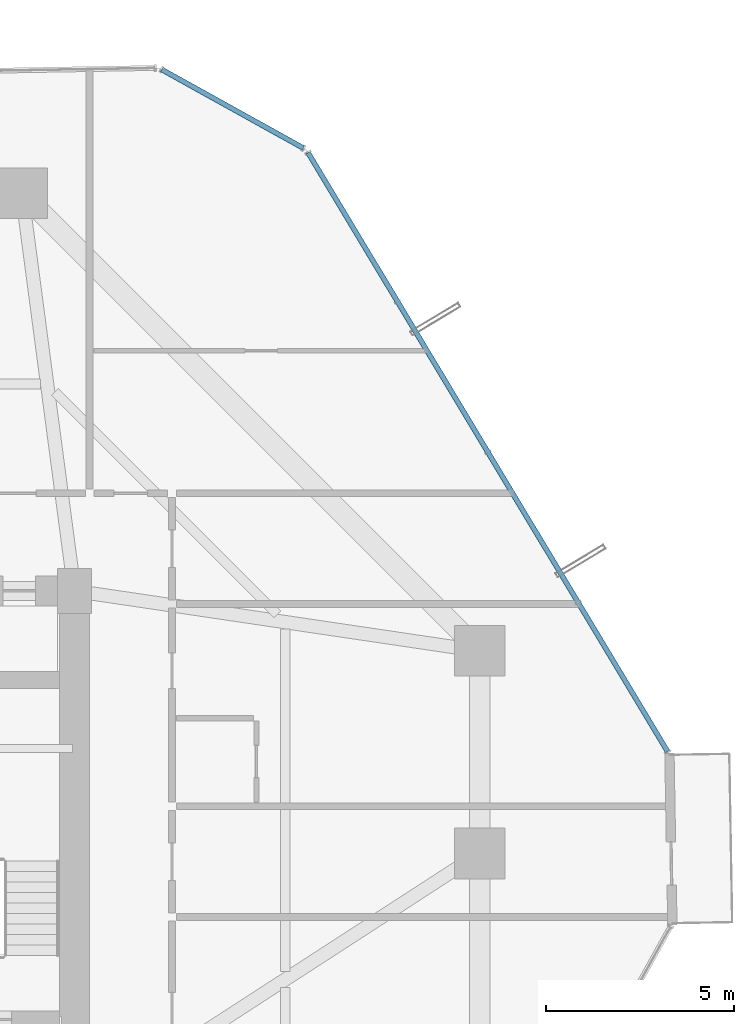
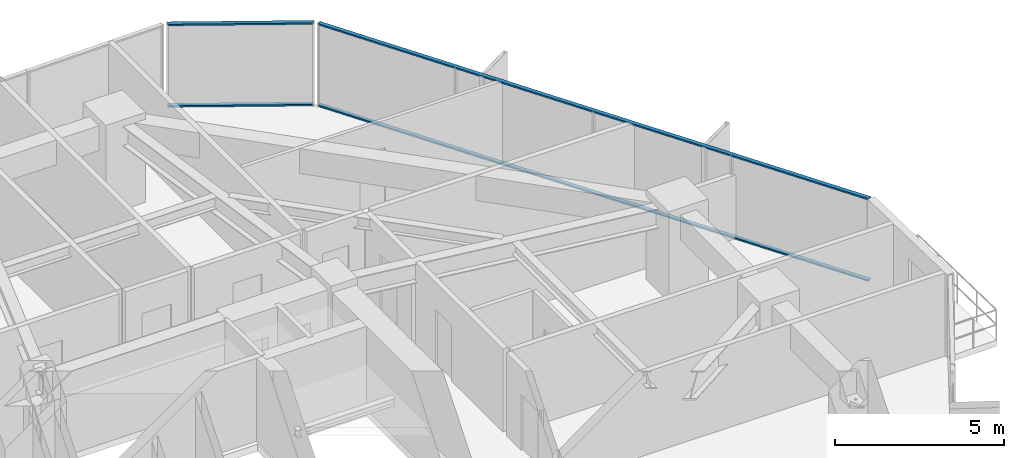
# One storey, part 32 of 39: 4 members, 2 elements without a shape of their own.
"""IFC4 building model written with IfcOpenShell, lengths in metres."""

import ifcopenshell
import ifcopenshell.guid

model = None  # the IFC model being written
_history = None  # IfcOwnerHistory: only IFC2X3 demands one
_inside = {}  # id of a spatial element -> (the spatial element, [elements in it])
_under = {}  # id of a project, library or spatial element -> (it, [spatial elements below it])
_declared = {}  # id of a project -> (the project, [libraries it declares])
_typed = {}  # id of a type object -> (the type object, [elements of that type])
_made_of = {}  # id of a material, layer set ... -> (it, [elements and type objects made of it])


def new_model(schema):
    """Start an empty IFC model of exactly this schema.

    Asked for "IFC4X3", IfcOpenShell would pick the latest addendum, in which some entities
    have other attributes; the version numbers below select the first issue.
    IFC2X3 requires an IfcOwnerHistory on every rooted entity: one is made here for all.
    """
    global model, _history
    if schema == "IFC4X3":
        model = ifcopenshell.file(schema_version=(4, 3, 0, 0))
    else:
        model = ifcopenshell.file(schema=schema)
    _inside.clear()
    _under.clear()
    _declared.clear()
    _typed.clear()
    _made_of.clear()
    _history = None
    if model.schema == "IFC2X3":
        org = make("IfcOrganization", Name="unknown")
        user = make(
            "IfcPersonAndOrganization",
            ThePerson=make("IfcPerson", FamilyName="unknown"),
            TheOrganization=org,
        )
        app = make(
            "IfcApplication",
            ApplicationDeveloper=org,
            Version="unknown",
            ApplicationFullName="unknown",
            ApplicationIdentifier="unknown",
        )
        _history = make(
            "IfcOwnerHistory",
            OwningUser=user,
            OwningApplication=app,
            ChangeAction="ADDED",
            CreationDate=0,
        )
    return model


def make(cls, **values):
    """One entity of the class cls with the attributes given. An attribute that is None is left unset."""
    return model.create_entity(
        cls, **{name: value for name, value in values.items() if value is not None}
    )


def rooted(cls, **values):
    """An entity with a GlobalId (a new one), such as an element, a storey or a relation."""
    return make(cls, GlobalId=ifcopenshell.guid.new(), OwnerHistory=_history, **values)


def si_unit(unit_type, name, prefix=None):
    """IfcSIUnit, for example si_unit("LENGTHUNIT", "METRE", prefix="MILLI")."""
    return make("IfcSIUnit", UnitType=unit_type, Prefix=prefix, Name=name)


def assignment(units):
    """IfcUnitAssignment: the units of a project."""
    return None if units is None else make("IfcUnitAssignment", Units=units)


def point(xyz):
    """IfcCartesianPoint."""
    return None if xyz is None else make("IfcCartesianPoint", Coordinates=xyz)


def direction(xyz):
    """IfcDirection."""
    return None if xyz is None else make("IfcDirection", DirectionRatios=xyz)


def frame(location, z_axis=None, x_axis=None):
    """IfcAxis2Placement3D, a coordinate frame: its origin and axes. An axis left out is left unset."""
    return make(
        "IfcAxis2Placement3D",
        Location=point(location),
        Axis=direction(z_axis),
        RefDirection=direction(x_axis),
    )


def frame_2d(location, x_axis=None):
    """IfcAxis2Placement2D, a coordinate frame in the plane: its origin and x axis."""
    return make(
        "IfcAxis2Placement2D", Location=point(location), RefDirection=direction(x_axis)
    )


def origin():
    """The frame at (0, 0, 0) with its axes left unset."""
    return frame((0.0, 0.0, 0.0))


def origin_2d():
    """The frame at (0, 0) in the plane with its x axis left unset."""
    return frame_2d((0.0, 0.0))


def place(relative_to, where):
    """IfcLocalPlacement: puts the frame where relative to a parent placement (None: the world)."""
    return make(
        "IfcLocalPlacement", PlacementRelTo=relative_to, RelativePlacement=where
    )


def context(
    kind, dimensions, precision=None, world=None, true_north=None, identifier=None
):
    """IfcGeometricRepresentationContext, for example the 3D "Model" context."""
    return make(
        "IfcGeometricRepresentationContext",
        ContextIdentifier=identifier,
        ContextType=kind,
        CoordinateSpaceDimension=dimensions,
        Precision=precision,
        WorldCoordinateSystem=world,
        TrueNorth=true_north,
    )


def subcontext(parent, identifier, kind, view, scale=None):
    """IfcGeometricRepresentationSubContext, for example "Body" below "Model"."""
    return make(
        "IfcGeometricRepresentationSubContext",
        ContextIdentifier=identifier,
        ContextType=kind,
        ParentContext=parent,
        TargetScale=scale,
        TargetView=view,
    )


def project(units=None, contexts=None):
    """IfcProject with its units and contexts."""
    return rooted(
        "IfcProject",
        Name="project",
        RepresentationContexts=contexts,
        UnitsInContext=assignment(units),
    )


def spatial(cls, under=None, at=None, **own):
    """A site, building, storey or space (cls), placed at a placement, below another one or the project."""
    s = rooted(cls, ObjectPlacement=at, **own)
    if under is not None:
        _under.setdefault(under.id(), (under, []))[1].append(s)
    return s


def profile(cls, at=None, kind="AREA", **sizes):
    """A parametric profile (cls). Its sizes go by their IFC names, for example OverallWidth=200.0."""
    return make(cls, ProfileType=kind, Position=at, **sizes)


def hollow_rectangle(**sizes):
    """IfcRectangleHollowProfileDef."""
    return profile("IfcRectangleHollowProfileDef", **sizes)


def extrude(swept, where, along, depth):
    """IfcExtrudedAreaSolid: the profile swept, set in the frame where, extruded along a direction by depth."""
    return make(
        "IfcExtrudedAreaSolid",
        SweptArea=swept,
        Position=where,
        ExtrudedDirection=direction(along),
        Depth=depth,
    )


def shape(context_of_items, identifier, shape_type, items):
    """IfcShapeRepresentation: the items that make up one representation, for example the "Body"."""
    return make(
        "IfcShapeRepresentation",
        ContextOfItems=context_of_items,
        RepresentationIdentifier=identifier,
        RepresentationType=shape_type,
        Items=items,
    )


def source(mapping_origin, context_of_items, identifier, shape_type, items):
    """IfcRepresentationMap: a shape defined once, which mapped items show again and again."""
    return make(
        "IfcRepresentationMap",
        MappingOrigin=mapping_origin,
        MappedRepresentation=shape(context_of_items, identifier, shape_type, items),
    )


def transform(
    local_origin,
    x_axis=None,
    y_axis=None,
    z_axis=None,
    scale=None,
    scale2=None,
    scale3=None,
    uniform=True,
):
    """IfcCartesianTransformationOperator3D, or its non-uniform kind. x_axis, y_axis, z_axis: its Axis1, 2, 3."""
    if uniform:
        return make(
            "IfcCartesianTransformationOperator3D",
            Axis1=direction(x_axis),
            Axis2=direction(y_axis),
            LocalOrigin=point(local_origin),
            Scale=scale,
            Axis3=direction(z_axis),
        )
    return make(
        "IfcCartesianTransformationOperator3DnonUniform",
        Axis1=direction(x_axis),
        Axis2=direction(y_axis),
        LocalOrigin=point(local_origin),
        Scale=scale,
        Axis3=direction(z_axis),
        Scale2=scale2,
        Scale3=scale3,
    )


def mapped(mapping_source, mapping_target):
    """IfcMappedItem: shows the shape of a source again, moved by a transform."""
    return make(
        "IfcMappedItem", MappingSource=mapping_source, MappingTarget=mapping_target
    )


def material(Name=None, Category=None):
    """IfcMaterial."""
    return make("IfcMaterial", Name=Name, Category=Category)


def layer(
    of_material, thickness, ventilated=None, Name=None, Category=None, Priority=None
):
    """IfcMaterialLayer: one layer of a wall or slab, of a material (None: an air gap)."""
    return make(
        "IfcMaterialLayer",
        Material=of_material,
        LayerThickness=thickness,
        IsVentilated=ventilated,
        Name=Name,
        Category=Category,
        Priority=Priority,
    )


def layer_set(layers, Name=None):
    """IfcMaterialLayerSet."""
    return make("IfcMaterialLayerSet", MaterialLayers=layers, LayerSetName=Name)


def material_profile(
    of_material, cross_section, Name=None, Category=None, Priority=None
):
    """IfcMaterialProfile: a cross section and its material."""
    return make(
        "IfcMaterialProfile",
        Name=Name,
        Material=of_material,
        Profile=cross_section,
        Priority=Priority,
        Category=Category,
    )


def profile_set(profiles, Name=None, composite=None):
    """IfcMaterialProfileSet."""
    return make(
        "IfcMaterialProfileSet",
        Name=Name,
        MaterialProfiles=profiles,
        CompositeProfile=composite,
    )


def made_of(thing, what):
    """Note that an element or type object is made of a material, layer set ...; save() writes the relation."""
    if what is not None:
        _made_of.setdefault(what.id(), (what, []))[1].append(thing)
    return thing


def type_object(cls, material=None, **own):
    """A type object (cls), such as IfcWallType, which elements share."""
    return made_of(rooted(cls, **own), material)


def element(
    cls,
    number,
    at=None,
    inside=None,
    cuts=None,
    type_object=None,
    material=None,
    context=None,
    identifier="Body",
    shape_type=None,
    held_by="IfcProductDefinitionShape",
    body=None,
    shapes=None,
    **own,
):
    """One element of the class cls, such as IfcWall. Its Tag is "e" and its number.

    at: its placement. inside: the storey or other place that contains it. cuts: it is an
    opening in that element (IfcRelVoidsElement). A single representation is given by context,
    identifier, shape_type and body (its items); several are given by shapes. held_by: the class
    of the entity that holds the representations. save() writes the other relations.
    """
    e = rooted(cls, Tag="e%d" % number, ObjectPlacement=at, **own)
    if body is not None:
        shapes = [shape(context, identifier, shape_type, body)]
    if shapes is not None:
        e.Representation = make(held_by, Representations=shapes)
    if inside is not None:
        _inside.setdefault(inside.id(), (inside, []))[1].append(e)
    if cuts is not None:
        rooted(
            "IfcRelVoidsElement", RelatingBuildingElement=cuts, RelatedOpeningElement=e
        )
    if type_object is not None:
        _typed.setdefault(type_object.id(), (type_object, []))[1].append(e)
    return made_of(e, material)


def aggregate(whole, parts):
    """IfcRelAggregates: a whole, such as a stair, and the parts it consists of."""
    return rooted("IfcRelAggregates", RelatingObject=whole, RelatedObjects=parts)


def save(model, path):
    """Write the relations noted so far, then the file.

    IfcRelAggregates (storeys below a building ...), IfcRelContainedInSpatialStructure (elements
    in a storey), IfcRelDefinesByType, IfcRelAssociatesMaterial and IfcRelDeclares: one each for
    every whole, place, type object, material and project.
    """
    for whole, parts in _under.values():
        aggregate(whole, parts)
    for where, things in _inside.values():
        rooted(
            "IfcRelContainedInSpatialStructure",
            RelatedElements=things,
            RelatingStructure=where,
        )
    for kind, things in _typed.values():
        rooted("IfcRelDefinesByType", RelatedObjects=things, RelatingType=kind)
    for what, things in _made_of.values():
        rooted("IfcRelAssociatesMaterial", RelatedObjects=things, RelatingMaterial=what)
    for by, libraries in _declared.values():
        rooted("IfcRelDeclares", RelatingContext=by, RelatedDefinitions=libraries)
    model.write(path)


model = new_model("IFC4")

# Units and contexts
model_context = context("Model", 3, precision=1e-05, world=origin(), true_north=direction((0.0, 1.0)))
body_context = subcontext(model_context, "Body", "Model", "MODEL_VIEW")
ifc_project = project(units=[si_unit("LENGTHUNIT", "METRE"), si_unit("AREAUNIT", "SQUARE_METRE"), si_unit("VOLUMEUNIT", "CUBIC_METRE"), si_unit("PLANEANGLEUNIT", "RADIAN"), si_unit("MASSUNIT", "GRAM", prefix="KILO")], contexts=[model_context])

# Site, building, storey
site_placement = place(None, origin())
site = spatial("IfcSite", under=ifc_project, at=site_placement, CompositionType="ELEMENT")
building_placement = place(site_placement, origin())
building = spatial("IfcBuilding", under=site, at=building_placement, Name="Veraguas Prism Commons", CompositionType="ELEMENT")
storey_placement = place(building_placement, frame((0.0, 0.0, 27.300048828125)))
storey = spatial("IfcBuildingStorey", under=building, at=storey_placement, Name="L06", CompositionType="ELEMENT", Elevation=27.300048828125)

# Curtain wall, members
ifc_material = material(Name="Anodised aluminium EN AW-6063 T6", Category="aluminium")
ifc_layer = layer(ifc_material, 0.169921875, Name="Unitised Flush Curtain Wall Zone 1", Category="aluminium")
ifc_layer_set = layer_set([ifc_layer], Name="Anodised aluminium EN AW-6063 T6")
curtain_wall_type = type_object("IfcCurtainWallType", Name="Unitised Flush Curtain Wall Zone 1", PredefinedType="NOTDEFINED", material=ifc_layer_set)
curtain_wall_1_placement = place(storey_placement, origin())
curtain_wall_1 = element("IfcCurtainWall", 1, at=curtain_wall_1_placement, inside=storey, type_object=curtain_wall_type, Name="Tower Facade Curtain Wall L06-F1", PredefinedType="NOTDEFINED")
ifc_material_profile = material_profile(ifc_material, hollow_rectangle(XDim=0.054931640625, YDim=0.135009765625, WallThickness=0.0029296875, at=origin_2d()), Name="AL55X135X3")
ifc_profile_set = profile_set([ifc_material_profile], Name="Anodised aluminium EN AW-6063 T6")
member_type = type_object("IfcMemberType", Name="Curtain Wall Transom Standard AL 55x135x3", PredefinedType="USERDEFINED", material=ifc_profile_set)
shared_shape_1 = source(origin(), body_context, "Body", "SweptSolid", [
    extrude(hollow_rectangle(XDim=0.054931640625, YDim=0.135009765625, WallThickness=0.0029296875, at=origin_2d()), origin(), (0.0, 0.0, 1.0), 18.6240234375),
])
member_1_placement = place(storey_placement, frame((46.61279296875, 26.715087890625, 0.02734375), z_axis=(-0.514734780414, 0.857349465406, 0.0), x_axis=(0.0, 0.0, 1.0)))
member_1 = element("IfcMember", 2, at=member_1_placement, type_object=member_type, Name="CW-Z1 Transom 1", ObjectType="TRANSOM", PredefinedType="USERDEFINED", context=body_context, shape_type="MappedRepresentation", body=[
    mapped(shared_shape_1, transform((0.0, 0.0, 0.0), scale=1.0)),
])
member_2_placement = place(storey_placement, frame((46.61279296875, 26.715087890625, 2.972412109375), z_axis=(-0.514734780414, 0.857349465406, 0.0), x_axis=(0.0, 0.0, 1.0)))
member_2 = element("IfcMember", 3, at=member_2_placement, type_object=member_type, Name="CW-Z1 Transom 2", ObjectType="TRANSOM", PredefinedType="USERDEFINED", context=body_context, shape_type="MappedRepresentation", body=[
    mapped(shared_shape_1, transform((0.0, 0.0, 0.0), scale=1.0)),
])
aggregate(curtain_wall_1, [member_1, member_2])

curtain_wall_2_placement = place(storey_placement, origin())
curtain_wall_2 = element("IfcCurtainWall", 4, at=curtain_wall_2_placement, inside=storey, type_object=curtain_wall_type, Name="Chamfer Curtain Wall L06-C2", PredefinedType="NOTDEFINED")
shared_shape_2 = source(origin(), body_context, "Body", "SweptSolid", [
    extrude(hollow_rectangle(XDim=0.054931640625, YDim=0.135009765625, WallThickness=0.0029296875, at=origin_2d()), origin(), (0.0, 0.0, 1.0), 4.320068359375),
])
member_3_placement = place(storey_placement, frame((36.9013671875, 42.802978515625, 0.02734375), z_axis=(-0.8744476891, 0.485119819249, 0.0), x_axis=(0.0, 0.0, 1.0)))
member_3 = element("IfcMember", 5, at=member_3_placement, type_object=member_type, Name="CW-Z1 Transom 1", ObjectType="TRANSOM", PredefinedType="USERDEFINED", context=body_context, shape_type="MappedRepresentation", body=[
    mapped(shared_shape_2, transform((0.0, 0.0, 0.0), scale=1.0)),
])
member_4_placement = place(storey_placement, frame((36.9013671875, 42.802978515625, 2.972412109375), z_axis=(-0.8744476891, 0.485119819249, 0.0), x_axis=(0.0, 0.0, 1.0)))
member_4 = element("IfcMember", 6, at=member_4_placement, type_object=member_type, Name="CW-Z1 Transom 2", ObjectType="TRANSOM", PredefinedType="USERDEFINED", context=body_context, shape_type="MappedRepresentation", body=[
    mapped(shared_shape_2, transform((0.0, 0.0, 0.0), scale=1.0)),
])
aggregate(curtain_wall_2, [member_3, member_4])

save(model, "model.ifc")
